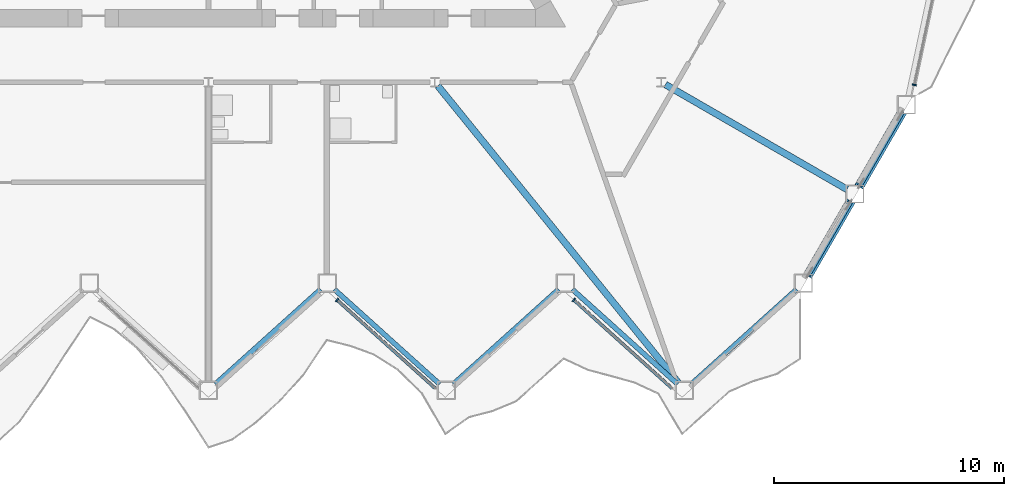
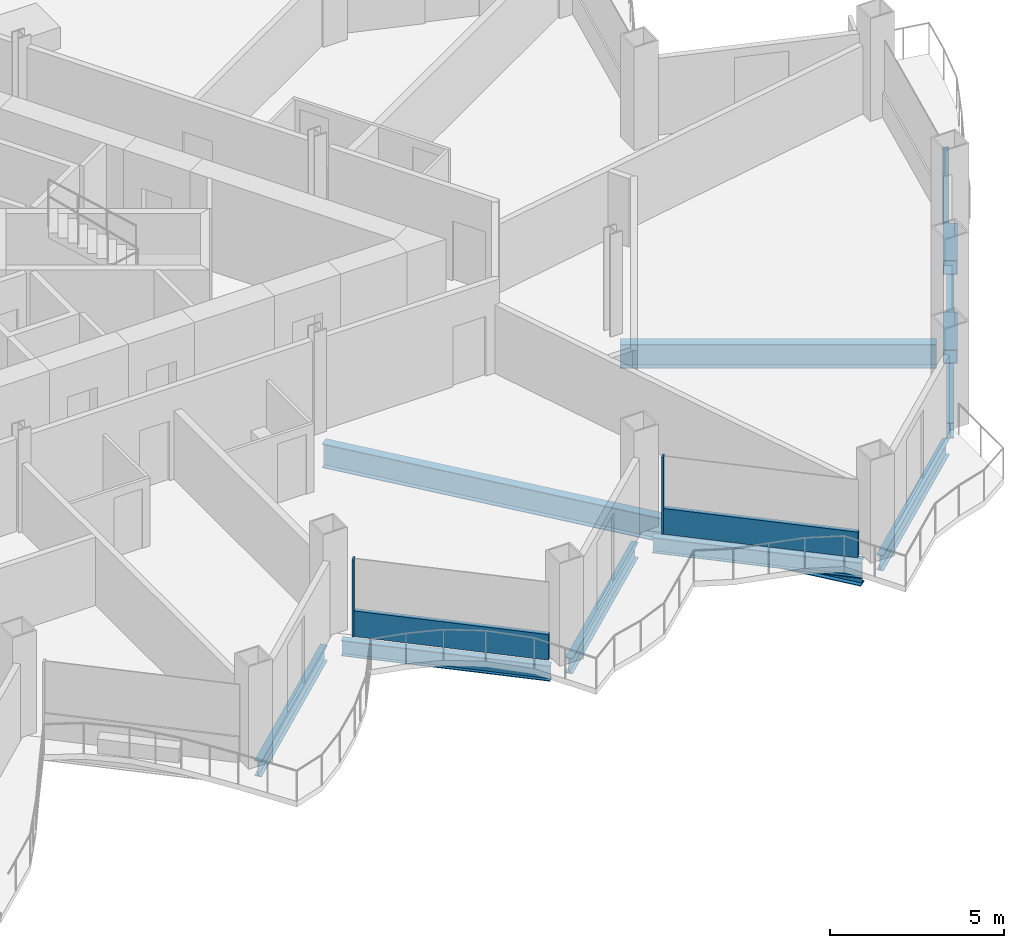
# One storey, part 5 of 22: 9 beams, 7 members, 3 elements without a shape of their own.
"""IFC4 building model written with IfcOpenShell, lengths in metres."""

from ifc_helpers import new_model, si_unit, direction, frame, origin, origin_2d, place, context, subcontext, project, spatial, rectangle, hollow_rectangle, i_section, extrude, material, layer, layer_set, material_profile, profile_set, type_object, element, aggregate, save


model = new_model("IFC4")

# Units and contexts
model_context = context("Model", 3, precision=1e-05, world=origin(), true_north=direction((0.0, 1.0)))
body_context = subcontext(model_context, "Body", "Model", "MODEL_VIEW")
ifc_project = project(units=[si_unit("LENGTHUNIT", "METRE"), si_unit("AREAUNIT", "SQUARE_METRE"), si_unit("VOLUMEUNIT", "CUBIC_METRE"), si_unit("PLANEANGLEUNIT", "RADIAN"), si_unit("MASSUNIT", "GRAM", prefix="KILO")], contexts=[model_context])

# Site, building, storey
site_placement = place(None, origin())
site = spatial("IfcSite", under=ifc_project, at=site_placement, CompositionType="ELEMENT")
building_placement = place(site_placement, origin())
building = spatial("IfcBuilding", under=site, at=building_placement, Name="Cormorant Prow Tower", CompositionType="ELEMENT")
storey_placement = place(building_placement, frame((0.0, 0.0, 198.0)))
storey = spatial("IfcBuildingStorey", under=building, at=storey_placement, Name="L43", CompositionType="ELEMENT", Elevation=198.0)

# Members
ifc_material_1 = material(Name="Structural steel ASTM A500 Gr C", Category="steel")
ifc_material_profile_1 = material_profile(ifc_material_1, hollow_rectangle(XDim=0.406494140625, YDim=0.406494140625, WallThickness=0.01171875, at=origin_2d()), Name="HSS16x16x1/2")
ifc_profile_set_1 = profile_set([ifc_material_profile_1], Name="Structural steel ASTM A500 Gr C")
member_type_1 = type_object("IfcMemberType", Name="Chamfer brace HSS16x16x1/2", PredefinedType="BRACE", material=ifc_profile_set_1)
member_1_placement = place(storey_placement, frame((27.850341796875, -16.56103515625, 0.739990234375), z_axis=(-0.47400804529, -0.820968949664, 0.318318011883), x_axis=(0.866015628144, -0.500016931523, 0.0)))
element("IfcMember", 1, at=member_1_placement, inside=storey, type_object=member_type_1, Name="Chamfer brace BR2 at ESE00 L43", PredefinedType="BRACE", context=body_context, shape_type="SweptSolid", body=[
    extrude(hollow_rectangle(XDim=0.406494140625, YDim=0.406494140625, WallThickness=0.01171875, at=origin_2d()), origin(), (0.0, 0.0, 1.0), 3.835693359375),
])
member_2_placement = place(storey_placement, frame((30.08544921875, -12.689453125, 0.739990234375), z_axis=(-0.473983276796, -0.820989698857, 0.31830137871), x_axis=(0.866032413668, -0.499987858329, 0.0)))
element("IfcMember", 2, at=member_2_placement, inside=storey, type_object=member_type_1, Name="Chamfer brace BR2 at ESE01 L43", PredefinedType="BRACE", context=body_context, shape_type="SweptSolid", body=[
    extrude(hollow_rectangle(XDim=0.406494140625, YDim=0.406494140625, WallThickness=0.01171875, at=origin_2d()), origin(), (0.0, 0.0, 1.0), 3.8359375),
])

# Curtain wall, member
ifc_material_2 = material(Name="Aluminium 6063-T6", Category="aluminium")
ifc_layer = layer(ifc_material_2, 0.179931640625)
ifc_layer_set = layer_set([ifc_layer], Name="Aluminium 6063-T6")
curtain_wall_type = type_object("IfcCurtainWallType", Name="Hotel unitised curtain wall 180", PredefinedType="NOTDEFINED", material=ifc_layer_set)
curtain_wall_1_placement = place(storey_placement, origin())
curtain_wall_1 = element("IfcCurtainWall", 3, at=curtain_wall_1_placement, inside=storey, type_object=curtain_wall_type, Name="Hotel curtain wall S06", PredefinedType="NOTDEFINED")
ifc_material_3 = material(Name="Aluminium 6063-T6", Category="aluminium")
ifc_material_profile_2 = material_profile(ifc_material_3, rectangle(XDim=0.179931640625, YDim=0.06005859375, at=origin_2d()), Name="Hotel mullion 60x180")
ifc_profile_set_2 = profile_set([ifc_material_profile_2], Name="Aluminium 6063-T6")
member_type_2 = type_object("IfcMemberType", Name="Hotel mullion 60x180", PredefinedType="MULLION", material=ifc_profile_set_2)
member_3_placement = place(storey_placement, frame((5.5830078125, -20.799072265625, 0.0), z_axis=(0.0, 0.0, 1.0), x_axis=(0.66913059916, 0.743144831959, 0.0)))
member_3 = element("IfcMember", 4, at=member_3_placement, type_object=member_type_2, Name="Hotel mullion S06", PredefinedType="MULLION", context=body_context, shape_type="SweptSolid", body=[
    extrude(rectangle(XDim=0.179931640625, YDim=0.06005859375, at=origin_2d()), origin(), (0.0, 0.0, 1.0), 2.700927734375),
])

curtain_wall_2_placement = place(storey_placement, origin())
curtain_wall_2 = element("IfcCurtainWall", 5, at=curtain_wall_2_placement, inside=storey, type_object=curtain_wall_type, Name="Hotel curtain wall S08", PredefinedType="NOTDEFINED")
member_4_placement = place(storey_placement, frame((15.85986328125, -20.799072265625, 0.0), z_axis=(0.0, 0.0, 1.0), x_axis=(0.66913059916, 0.743144831959, 0.0)))
member_4 = element("IfcMember", 6, at=member_4_placement, type_object=member_type_2, Name="Hotel mullion S08", PredefinedType="MULLION", context=body_context, shape_type="SweptSolid", body=[
    extrude(rectangle(XDim=0.179931640625, YDim=0.06005859375, at=origin_2d()), origin(), (0.0, 0.0, 1.0), 2.700927734375),
])

curtain_wall_3_placement = place(storey_placement, origin())
curtain_wall_3 = element("IfcCurtainWall", 7, at=curtain_wall_3_placement, inside=storey, type_object=curtain_wall_type, Name="Hotel curtain wall ENE00", PredefinedType="NOTDEFINED")
member_5_placement = place(storey_placement, frame((30.63671875, -11.466064453125, 0.0), z_axis=(0.0, 0.0, 1.0), x_axis=(-0.978147607432, 0.207911659303, 0.0)))
member_5 = element("IfcMember", 8, at=member_5_placement, type_object=member_type_2, Name="Hotel mullion ENE00", PredefinedType="MULLION", context=body_context, shape_type="SweptSolid", body=[
    extrude(rectangle(XDim=0.179931640625, YDim=0.06005859375, at=origin_2d()), origin(), (0.0, 0.0, 1.0), 2.700927734375),
])
aggregate(curtain_wall_3, [member_5])

# Member
ifc_material_4 = material(Name="Terracotta", Category="masonry")
ifc_material_profile_3 = material_profile(ifc_material_4, rectangle(XDim=0.139892578125, YDim=0.89990234375, at=origin_2d()), Name="Hotel terracotta spandrel rail 140x900")
ifc_profile_set_3 = profile_set([ifc_material_profile_3], Name="Terracotta")
member_type_3 = type_object("IfcMemberType", Name="Hotel terracotta spandrel rail 140x900", PredefinedType="USERDEFINED", material=ifc_profile_set_3)
member_6_placement = place(storey_placement, frame((5.605224609375, -20.819091796875, 0.449951171875), z_axis=(0.743130669923, -0.669146327361, 0.0), x_axis=(0.669146327361, 0.743130669923, 0.0)))
member_6 = element("IfcMember", 9, at=member_6_placement, type_object=member_type_3, Name="Hotel spandrel rail S06", ObjectType="TRANSOM", PredefinedType="USERDEFINED", context=body_context, shape_type="SweptSolid", body=[
    extrude(rectangle(XDim=0.139892578125, YDim=0.89990234375, at=origin_2d()), origin(), (0.0, 0.0, 1.0), 5.71875),
])

aggregate(curtain_wall_1, [member_3, member_6])

member_7_placement = place(storey_placement, frame((15.88232421875, -20.819091796875, 0.449951171875), z_axis=(0.743130669923, -0.669146327361, 0.0), x_axis=(0.669146327361, 0.743130669923, 0.0)))
member_7 = element("IfcMember", 10, at=member_7_placement, type_object=member_type_3, Name="Hotel spandrel rail S08", ObjectType="TRANSOM", PredefinedType="USERDEFINED", context=body_context, shape_type="SweptSolid", body=[
    extrude(rectangle(XDim=0.139892578125, YDim=0.89990234375, at=origin_2d()), origin(), (0.0, 0.0, 1.0), 5.71875),
])

aggregate(curtain_wall_2, [member_4, member_7])

# Beams
ifc_material_5 = material(Name="Structural steel ASTM A992 Gr 50", Category="steel")
ifc_material_profile_4 = material_profile(ifc_material_5, i_section(OverallWidth=0.29296875, OverallDepth=0.845703125, WebThickness=0.015380859375, FlangeThickness=0.0244140625, at=origin_2d()), Name="W33x141")
ifc_profile_set_4 = profile_set([ifc_material_profile_4], Name="Structural steel ASTM A992 Gr 50")
beam_type_1 = type_object("IfcBeamType", Name="Radial floor beam W33x141", PredefinedType="BEAM", material=ifc_profile_set_4)
beam_1_placement = place(storey_placement, frame((9.95654296875, -11.50732421875, -0.77294921875), z_axis=(0.629385162657, -0.777093505974, 0.0), x_axis=(0.777093505974, 0.629385162657, 0.0)))
element("IfcBeam", 11, at=beam_1_placement, inside=storey, type_object=beam_type_1, Name="Radial floor beam FB2 8 L43", PredefinedType="BEAM", context=body_context, shape_type="SweptSolid", body=[
    extrude(i_section(OverallWidth=0.29296875, OverallDepth=0.845703125, WebThickness=0.015380859375, FlangeThickness=0.0244140625, at=origin_2d()), origin(), (0.0, 0.0, 1.0), 16.6044921875),
])
beam_2_placement = place(storey_placement, frame((19.833251953125, -11.45068359375, -0.77294921875), z_axis=(0.866023373109, -0.500003517217, 0.0), x_axis=(0.500003517217, 0.866023373109, 0.0)))
element("IfcBeam", 12, at=beam_2_placement, inside=storey, type_object=beam_type_1, Name="Radial floor beam FB2 9 L43", PredefinedType="BEAM", context=body_context, shape_type="SweptSolid", body=[
    extrude(i_section(OverallWidth=0.29296875, OverallDepth=0.845703125, WebThickness=0.015380859375, FlangeThickness=0.0244140625, at=origin_2d()), origin(), (0.0, 0.0, 1.0), 9.09814453125),
])
ifc_material_6 = material(Name="Structural steel ASTM A992 Gr 50", Category="steel")
ifc_material_profile_5 = material_profile(ifc_material_6, i_section(OverallWidth=0.2138671875, OverallDepth=0.549072265625, WebThickness=0.0146484375, FlangeThickness=0.023681640625, at=origin_2d()), Name="W21x93")
ifc_profile_set_5 = profile_set([ifc_material_profile_5], Name="Structural steel ASTM A992 Gr 50")
beam_type_2 = type_object("IfcBeamType", Name="Spandrel beam W21x93", PredefinedType="SPANDREL", material=ifc_profile_set_5)
beam_3_placement = place(storey_placement, frame((0.29736328125, -24.453857421875, -0.62451171875), z_axis=(0.743138178716, 0.669137988261, 0.0), x_axis=(-0.669137988261, 0.743138178716, 0.0)))
element("IfcBeam", 13, at=beam_3_placement, inside=storey, type_object=beam_type_2, Name="Spandrel beam SB2 S05-S06 L43", PredefinedType="SPANDREL", context=body_context, shape_type="SweptSolid", body=[
    extrude(i_section(OverallWidth=0.2138671875, OverallDepth=0.549072265625, WebThickness=0.0146484375, FlangeThickness=0.023681640625, at=origin_2d()), origin(), (0.0, 0.0, 1.0), 6.149658203125),
])
beam_4_placement = place(storey_placement, frame((5.4619140625, -20.3388671875, -0.62451171875), z_axis=(0.743155953285, -0.669118247469, 0.0), x_axis=(0.669118247469, 0.743155953285, 0.0)))
element("IfcBeam", 14, at=beam_4_placement, inside=storey, type_object=beam_type_2, Name="Spandrel beam SB2 S06-S07 L43", PredefinedType="SPANDREL", context=body_context, shape_type="SweptSolid", body=[
    extrude(i_section(OverallWidth=0.2138671875, OverallDepth=0.549072265625, WebThickness=0.0146484375, FlangeThickness=0.023681640625, at=origin_2d()), origin(), (0.0, 0.0, 1.0), 6.14990234375),
])
for number, where, z_axis, x_axis, name in (
    (15, (10.626708984375, -24.453857421875, -0.62451171875), (0.743138178716, 0.669137988261, 0.0), (-0.669137988261, 0.743138178716, 0.0), "Spandrel beam SB2 S07-S08 L43"),
    (16, (15.79150390625, -20.3388671875, -0.62451171875), (0.743138178716, -0.669137988261, 0.0), (0.669137988261, 0.743138178716, 0.0), "Spandrel beam SB2 S08-S09 L43"),
):
    element("IfcBeam", number, at=place(storey_placement, frame(where, z_axis=z_axis, x_axis=x_axis)), inside=storey, type_object=beam_type_2, Name=name, PredefinedType="SPANDREL", context=body_context, shape_type="SweptSolid", body=[
        extrude(i_section(OverallWidth=0.2138671875, OverallDepth=0.549072265625, WebThickness=0.0146484375, FlangeThickness=0.023681640625, at=origin_2d()), origin(), (0.0, 0.0, 1.0), 6.149658203125),
    ])
beam_5_placement = place(storey_placement, frame((20.9560546875, -24.453857421875, -0.62451171875), z_axis=(0.743155953285, 0.669118247469, 0.0), x_axis=(-0.669118247469, 0.743155953285, 0.0)))
element("IfcBeam", 17, at=beam_5_placement, inside=storey, type_object=beam_type_2, Name="Spandrel beam SB2 S09-ESE00 L43", PredefinedType="SPANDREL", context=body_context, shape_type="SweptSolid", body=[
    extrude(i_section(OverallWidth=0.2138671875, OverallDepth=0.549072265625, WebThickness=0.0146484375, FlangeThickness=0.023681640625, at=origin_2d()), origin(), (0.0, 0.0, 1.0), 6.14990234375),
])
for number, where, z_axis, x_axis, name in (
    (18, (26.023681640625, -19.724853515625, -0.62451171875), (0.499994986164, 0.866028298505, 0.0), (-0.866028298505, 0.499994986164, 0.0), "Spandrel beam SB2 ESE00-ESE01 L43"),
    (19, (28.2587890625, -15.853271484375, -0.62451171875), (0.499994986164, 0.866028298505, 0.0), (-0.866028298505, 0.499994986164, 0.0), "Spandrel beam SB2 ESE01-ENE00 L43"),
):
    element("IfcBeam", number, at=place(storey_placement, frame(where, z_axis=z_axis, x_axis=x_axis)), inside=storey, type_object=beam_type_2, Name=name, PredefinedType="SPANDREL", context=body_context, shape_type="SweptSolid", body=[
        extrude(i_section(OverallWidth=0.2138671875, OverallDepth=0.549072265625, WebThickness=0.0146484375, FlangeThickness=0.023681640625, at=origin_2d()), origin(), (0.0, 0.0, 1.0), 3.67041015625),
    ])

save(model, "model.ifc")
